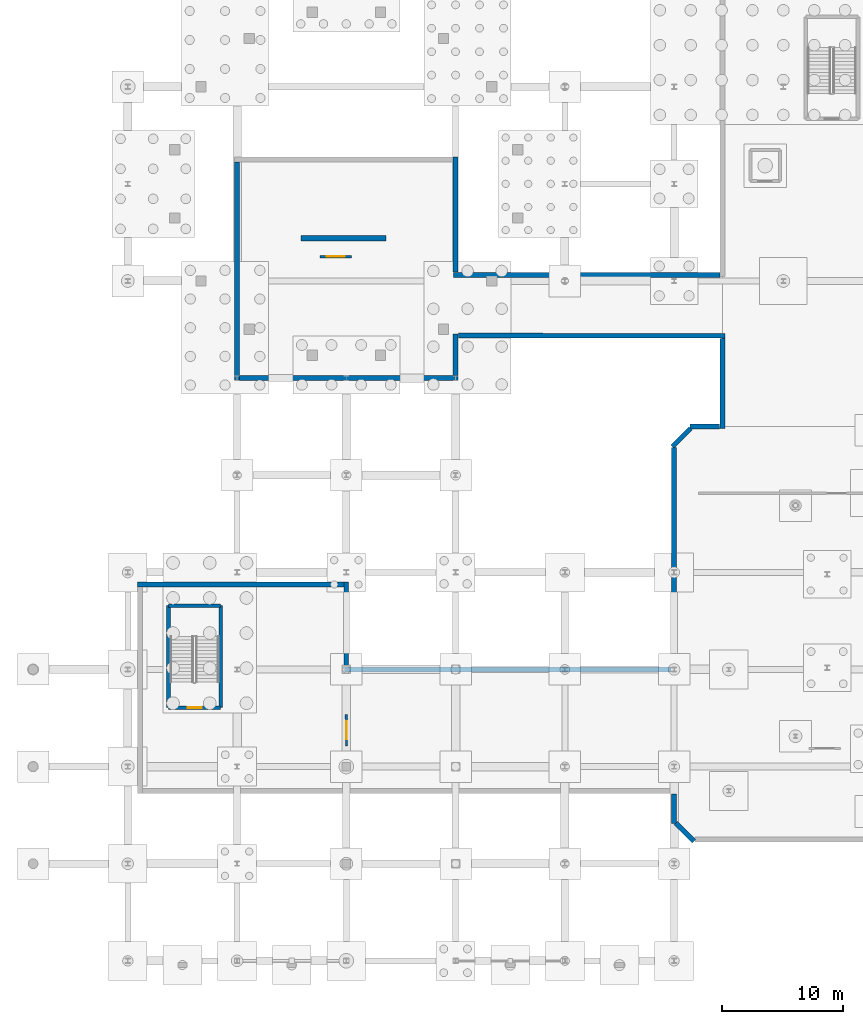
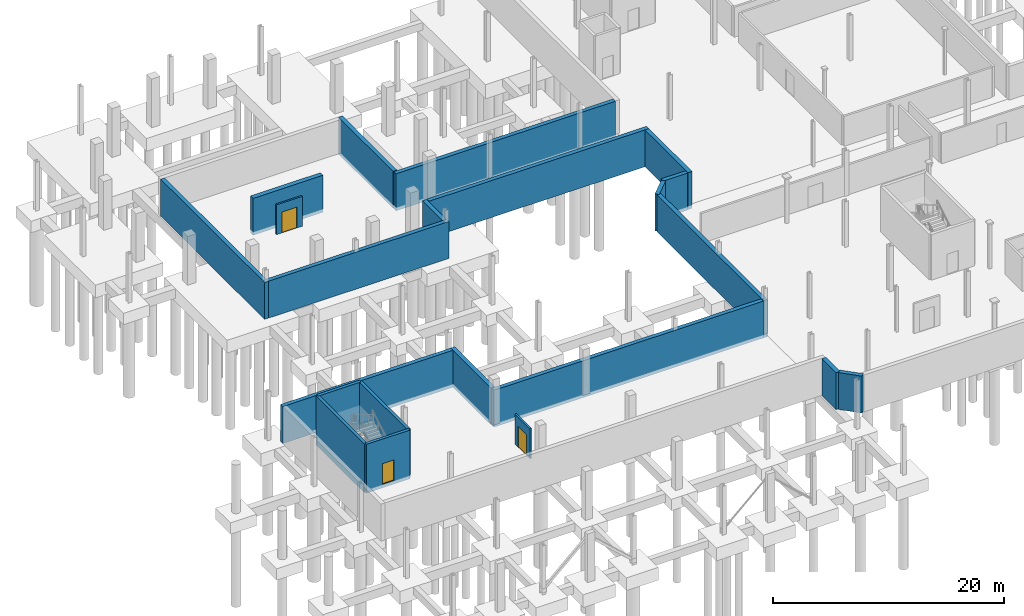
# One storey, part 25 of 37: 22 walls, 3 doors, 3 openings.
"""IFC4 building model written with IfcOpenShell, lengths in metres."""

import ifcopenshell
import ifcopenshell.guid

model = None  # the IFC model being written
_history = None  # IfcOwnerHistory: only IFC2X3 demands one
_inside = {}  # id of a spatial element -> (the spatial element, [elements in it])
_under = {}  # id of a project, library or spatial element -> (it, [spatial elements below it])
_declared = {}  # id of a project -> (the project, [libraries it declares])
_typed = {}  # id of a type object -> (the type object, [elements of that type])
_made_of = {}  # id of a material, layer set ... -> (it, [elements and type objects made of it])


def new_model(schema):
    """Start an empty IFC model of exactly this schema.

    Asked for "IFC4X3", IfcOpenShell would pick the latest addendum, in which some entities
    have other attributes; the version numbers below select the first issue.
    IFC2X3 requires an IfcOwnerHistory on every rooted entity: one is made here for all.
    """
    global model, _history
    if schema == "IFC4X3":
        model = ifcopenshell.file(schema_version=(4, 3, 0, 0))
    else:
        model = ifcopenshell.file(schema=schema)
    _inside.clear()
    _under.clear()
    _declared.clear()
    _typed.clear()
    _made_of.clear()
    _history = None
    if model.schema == "IFC2X3":
        org = make("IfcOrganization", Name="unknown")
        user = make(
            "IfcPersonAndOrganization",
            ThePerson=make("IfcPerson", FamilyName="unknown"),
            TheOrganization=org,
        )
        app = make(
            "IfcApplication",
            ApplicationDeveloper=org,
            Version="unknown",
            ApplicationFullName="unknown",
            ApplicationIdentifier="unknown",
        )
        _history = make(
            "IfcOwnerHistory",
            OwningUser=user,
            OwningApplication=app,
            ChangeAction="ADDED",
            CreationDate=0,
        )
    return model


def make(cls, **values):
    """One entity of the class cls with the attributes given. An attribute that is None is left unset."""
    return model.create_entity(
        cls, **{name: value for name, value in values.items() if value is not None}
    )


def rooted(cls, **values):
    """An entity with a GlobalId (a new one), such as an element, a storey or a relation."""
    return make(cls, GlobalId=ifcopenshell.guid.new(), OwnerHistory=_history, **values)


def si_unit(unit_type, name, prefix=None):
    """IfcSIUnit, for example si_unit("LENGTHUNIT", "METRE", prefix="MILLI")."""
    return make("IfcSIUnit", UnitType=unit_type, Prefix=prefix, Name=name)


def assignment(units):
    """IfcUnitAssignment: the units of a project."""
    return None if units is None else make("IfcUnitAssignment", Units=units)


def point(xyz):
    """IfcCartesianPoint."""
    return None if xyz is None else make("IfcCartesianPoint", Coordinates=xyz)


def direction(xyz):
    """IfcDirection."""
    return None if xyz is None else make("IfcDirection", DirectionRatios=xyz)


def frame(location, z_axis=None, x_axis=None):
    """IfcAxis2Placement3D, a coordinate frame: its origin and axes. An axis left out is left unset."""
    return make(
        "IfcAxis2Placement3D",
        Location=point(location),
        Axis=direction(z_axis),
        RefDirection=direction(x_axis),
    )


def frame_2d(location, x_axis=None):
    """IfcAxis2Placement2D, a coordinate frame in the plane: its origin and x axis."""
    return make(
        "IfcAxis2Placement2D", Location=point(location), RefDirection=direction(x_axis)
    )


def origin():
    """The frame at (0, 0, 0) with its axes left unset."""
    return frame((0.0, 0.0, 0.0))


def place(relative_to, where):
    """IfcLocalPlacement: puts the frame where relative to a parent placement (None: the world)."""
    return make(
        "IfcLocalPlacement", PlacementRelTo=relative_to, RelativePlacement=where
    )


def context(
    kind, dimensions, precision=None, world=None, true_north=None, identifier=None
):
    """IfcGeometricRepresentationContext, for example the 3D "Model" context."""
    return make(
        "IfcGeometricRepresentationContext",
        ContextIdentifier=identifier,
        ContextType=kind,
        CoordinateSpaceDimension=dimensions,
        Precision=precision,
        WorldCoordinateSystem=world,
        TrueNorth=true_north,
    )


def subcontext(parent, identifier, kind, view, scale=None):
    """IfcGeometricRepresentationSubContext, for example "Body" below "Model"."""
    return make(
        "IfcGeometricRepresentationSubContext",
        ContextIdentifier=identifier,
        ContextType=kind,
        ParentContext=parent,
        TargetScale=scale,
        TargetView=view,
    )


def project(units=None, contexts=None):
    """IfcProject with its units and contexts."""
    return rooted(
        "IfcProject",
        Name="project",
        RepresentationContexts=contexts,
        UnitsInContext=assignment(units),
    )


def spatial(cls, under=None, at=None, **own):
    """A site, building, storey or space (cls), placed at a placement, below another one or the project."""
    s = rooted(cls, ObjectPlacement=at, **own)
    if under is not None:
        _under.setdefault(under.id(), (under, []))[1].append(s)
    return s


def profile(cls, at=None, kind="AREA", **sizes):
    """A parametric profile (cls). Its sizes go by their IFC names, for example OverallWidth=200.0."""
    return make(cls, ProfileType=kind, Position=at, **sizes)


def rectangle(**sizes):
    """IfcRectangleProfileDef."""
    return profile("IfcRectangleProfileDef", **sizes)


def extrude(swept, where, along, depth):
    """IfcExtrudedAreaSolid: the profile swept, set in the frame where, extruded along a direction by depth."""
    return make(
        "IfcExtrudedAreaSolid",
        SweptArea=swept,
        Position=where,
        ExtrudedDirection=direction(along),
        Depth=depth,
    )


def shape(context_of_items, identifier, shape_type, items):
    """IfcShapeRepresentation: the items that make up one representation, for example the "Body"."""
    return make(
        "IfcShapeRepresentation",
        ContextOfItems=context_of_items,
        RepresentationIdentifier=identifier,
        RepresentationType=shape_type,
        Items=items,
    )


def material(Name=None, Category=None):
    """IfcMaterial."""
    return make("IfcMaterial", Name=Name, Category=Category)


def layer(
    of_material, thickness, ventilated=None, Name=None, Category=None, Priority=None
):
    """IfcMaterialLayer: one layer of a wall or slab, of a material (None: an air gap)."""
    return make(
        "IfcMaterialLayer",
        Material=of_material,
        LayerThickness=thickness,
        IsVentilated=ventilated,
        Name=Name,
        Category=Category,
        Priority=Priority,
    )


def layer_set(layers, Name=None):
    """IfcMaterialLayerSet."""
    return make("IfcMaterialLayerSet", MaterialLayers=layers, LayerSetName=Name)


def made_of(thing, what):
    """Note that an element or type object is made of a material, layer set ...; save() writes the relation."""
    if what is not None:
        _made_of.setdefault(what.id(), (what, []))[1].append(thing)
    return thing


def type_object(cls, material=None, **own):
    """A type object (cls), such as IfcWallType, which elements share."""
    return made_of(rooted(cls, **own), material)


def element(
    cls,
    number,
    at=None,
    inside=None,
    cuts=None,
    type_object=None,
    material=None,
    context=None,
    identifier="Body",
    shape_type=None,
    held_by="IfcProductDefinitionShape",
    body=None,
    shapes=None,
    **own,
):
    """One element of the class cls, such as IfcWall. Its Tag is "e" and its number.

    at: its placement. inside: the storey or other place that contains it. cuts: it is an
    opening in that element (IfcRelVoidsElement). A single representation is given by context,
    identifier, shape_type and body (its items); several are given by shapes. held_by: the class
    of the entity that holds the representations. save() writes the other relations.
    """
    e = rooted(cls, Tag="e%d" % number, ObjectPlacement=at, **own)
    if body is not None:
        shapes = [shape(context, identifier, shape_type, body)]
    if shapes is not None:
        e.Representation = make(held_by, Representations=shapes)
    if inside is not None:
        _inside.setdefault(inside.id(), (inside, []))[1].append(e)
    if cuts is not None:
        rooted(
            "IfcRelVoidsElement", RelatingBuildingElement=cuts, RelatedOpeningElement=e
        )
    if type_object is not None:
        _typed.setdefault(type_object.id(), (type_object, []))[1].append(e)
    return made_of(e, material)


def fill(opening, filler):
    """IfcRelFillsElement: the door or window that sits in an opening."""
    return rooted(
        "IfcRelFillsElement",
        RelatingOpeningElement=opening,
        RelatedBuildingElement=filler,
    )


def aggregate(whole, parts):
    """IfcRelAggregates: a whole, such as a stair, and the parts it consists of."""
    return rooted("IfcRelAggregates", RelatingObject=whole, RelatedObjects=parts)


def save(model, path):
    """Write the relations noted so far, then the file.

    IfcRelAggregates (storeys below a building ...), IfcRelContainedInSpatialStructure (elements
    in a storey), IfcRelDefinesByType, IfcRelAssociatesMaterial and IfcRelDeclares: one each for
    every whole, place, type object, material and project.
    """
    for whole, parts in _under.values():
        aggregate(whole, parts)
    for where, things in _inside.values():
        rooted(
            "IfcRelContainedInSpatialStructure",
            RelatedElements=things,
            RelatingStructure=where,
        )
    for kind, things in _typed.values():
        rooted("IfcRelDefinesByType", RelatedObjects=things, RelatingType=kind)
    for what, things in _made_of.values():
        rooted("IfcRelAssociatesMaterial", RelatedObjects=things, RelatingMaterial=what)
    for by, libraries in _declared.values():
        rooted("IfcRelDeclares", RelatingContext=by, RelatedDefinitions=libraries)
    model.write(path)


model = new_model("IFC4")

# Units and contexts
model_context = context("Model", 3, precision=1e-05, world=origin(), true_north=direction((0.0, 1.0)))
body_context = subcontext(model_context, "Body", "Model", "MODEL_VIEW")
ifc_project = project(units=[si_unit("LENGTHUNIT", "METRE"), si_unit("AREAUNIT", "SQUARE_METRE"), si_unit("VOLUMEUNIT", "CUBIC_METRE"), si_unit("PLANEANGLEUNIT", "RADIAN"), si_unit("MASSUNIT", "GRAM", prefix="KILO"), si_unit("THERMODYNAMICTEMPERATUREUNIT", "KELVIN"), si_unit("POWERUNIT", "WATT")], contexts=[model_context])

# Site, building, storey
site_placement = place(None, origin())
site = spatial("IfcSite", under=ifc_project, at=site_placement, CompositionType="ELEMENT")
building_placement = place(site_placement, origin())
building = spatial("IfcBuilding", under=site, at=building_placement, Name="Zelmaris Science Centre", CompositionType="ELEMENT")
storey_placement = place(building_placement, frame((0.0, 0.0, -4.800048828125)))
storey = spatial("IfcBuildingStorey", under=building, at=storey_placement, Name="B1", CompositionType="ELEMENT", Elevation=-4.800048828125)

# Wall, opening, door
ifc_material_1 = material(Name="Concrete C40/50", Category="concrete")
ifc_layer_1 = layer(ifc_material_1, 0.300048828125, Name="Concrete C40/50")
ifc_layer_set_1 = layer_set([ifc_layer_1], Name="Concrete C40/50")
wall_type_1 = type_object("IfcWallType", Name="Core Shear Wall CW-S1 300mm", PredefinedType="SOLIDWALL", material=ifc_layer_set_1)
wall_1_placement = place(storey_placement, frame((16.64990234375, 28.85009765625, -0.349853515625), z_axis=(0.0, 0.0, 1.0), x_axis=(-1.0, 0.0, 0.0)))
wall_1 = element("IfcWall", 1, at=wall_1_placement, inside=storey, type_object=wall_type_1, Name="B1 ST-6 core shear wall near", PredefinedType="SOLIDWALL", context=body_context, shape_type="SweptSolid", body=[
    extrude(rectangle(XDim=4.2998046875, YDim=0.300048828125, at=frame_2d((2.14990234375, 0.0))), origin(), (0.0, 0.0, 1.0), 5.14990234375),
])
opening_1_placement = place(wall_1_placement, frame((1.574951171875, 0.0, 0.35009765625)))
opening_1 = element("IfcOpeningElement", 2, at=opening_1_placement, cuts=wall_1, Name="Opening D-FD90", PredefinedType="OPENING", context=body_context, shape_type="SweptSolid", body=[
    extrude(rectangle(XDim=1.14990234375, YDim=2.199951171875, at=frame_2d((0.574951171875, 1.10009765625))), frame((0.0, 0.159912109375, 0.0), z_axis=(0.0, -1.0, 0.0), x_axis=(1.0, 0.0, 0.0)), (0.0, 0.0, 1.0), 0.320068359375),
])
ifc_material_2 = material(Name="Steel ASTM A36", Category="steel")
door_type_1 = type_object("IfcDoorType", Name="Interior Door D-FD90 1150x2200", OperationType="NOTDEFINED", PredefinedType="DOOR", material=ifc_material_2)
door_1_placement = place(opening_1_placement, origin())
door_1 = element("IfcDoor", 3, at=door_1_placement, inside=storey, type_object=door_type_1, Name="B1 ST-6 exit stair fire door", OperationType="SINGLE_SWING_RIGHT", OverallHeight=2.199951171875, OverallWidth=1.14990234375, PredefinedType="DOOR", context=body_context, shape_type="SweptSolid", body=[
    extrude(rectangle(XDim=1.14990234375, YDim=2.199951171875, at=frame_2d((0.574951171875, 1.10009765625))), frame((0.0, 0.02490234375, 0.0), z_axis=(0.0, -1.0, 0.0), x_axis=(1.0, 0.0, 0.0)), (0.0, 0.0, 1.0), 0.050048828125),
])
fill(opening_1, door_1)

# Walls
wall_2_placement = place(storey_placement, frame((16.64990234375, 28.85009765625, -0.349853515625), z_axis=(0.0, 0.0, 1.0), x_axis=(0.0, 1.0, 0.0)))
element("IfcWall", 4, at=wall_2_placement, inside=storey, type_object=wall_type_1, Name="B1 ST-6 core shear wall east", PredefinedType="SOLIDWALL", context=body_context, shape_type="SweptSolid", body=[
    extrude(rectangle(XDim=8.39990234375, YDim=0.300048828125, at=frame_2d((4.199951171875, 0.0))), origin(), (0.0, 0.0, 1.0), 5.14990234375),
])
wall_3_placement = place(storey_placement, frame((16.64990234375, 37.25, -0.349853515625), z_axis=(0.0, 0.0, 1.0), x_axis=(-1.0, 0.0, 0.0)))
element("IfcWall", 5, at=wall_3_placement, inside=storey, type_object=wall_type_1, Name="B1 ST-6 core shear wall far", PredefinedType="SOLIDWALL", context=body_context, shape_type="SweptSolid", body=[
    extrude(rectangle(XDim=4.2998046875, YDim=0.300048828125, at=frame_2d((2.14990234375, 0.0))), origin(), (0.0, 0.0, 1.0), 5.14990234375),
])
wall_4_placement = place(storey_placement, frame((12.35009765625, 28.85009765625, -0.349853515625), z_axis=(0.0, 0.0, 1.0), x_axis=(0.0, 1.0, 0.0)))
element("IfcWall", 6, at=wall_4_placement, inside=storey, type_object=wall_type_1, Name="B1 ST-6 core shear wall west", PredefinedType="SOLIDWALL", context=body_context, shape_type="SweptSolid", body=[
    extrude(rectangle(XDim=8.39990234375, YDim=0.300048828125, at=frame_2d((4.199951171875, 0.0))), origin(), (0.0, 0.0, 1.0), 5.14990234375),
])

# Wall, opening, door
ifc_material_3 = material(Name="Autoclaved aerated concrete blockwork", Category="masonry")
ifc_layer_2 = layer(ifc_material_3, 0.179931640625, Name="Autoclaved aerated concrete blockwork")
ifc_layer_set_2 = layer_set([ifc_layer_2], Name="Autoclaved aerated concrete blockwork")
wall_type_2 = type_object("IfcWallType", Name="Interior Wall PT-04 180mm", PredefinedType="PARTITIONING", material=ifc_layer_set_2)
wall_5_placement = place(storey_placement, frame((24.824951171875, 66.0, 0.0), z_axis=(0.0, 0.0, 1.0), x_axis=(1.0, 0.0, 0.0)))
wall_5 = element("IfcWall", 7, at=wall_5_placement, inside=storey, type_object=wall_type_2, Name="B1 Stormwater Retention and Fire Water Cistern Room entrance partition 22", PredefinedType="PARTITIONING", context=body_context, shape_type="SweptSolid", body=[
    extrude(rectangle(XDim=2.60009765625, YDim=0.179931640625, at=frame_2d((1.300048828125, 0.0))), origin(), (0.0, 0.0, 1.0), 3.150146484375),
])
opening_2_placement = place(wall_5_placement, frame((0.550048828125, 0.0, 0.0)))
opening_2 = element("IfcOpeningElement", 8, at=opening_2_placement, cuts=wall_5, Name="Opening D-IN5", PredefinedType="OPENING", context=body_context, shape_type="SweptSolid", body=[
    extrude(rectangle(XDim=1.5, YDim=2.199951171875, at=frame_2d((0.75, 1.10009765625))), frame((0.0, 0.099853515625, 0.0), z_axis=(0.0, -1.0, 0.0), x_axis=(1.0, 0.0, 0.0)), (0.0, 0.0, 1.0), 0.199951171875),
])
door_type_2 = type_object("IfcDoorType", Name="Interior Door D-IN5 1500x2200", OperationType="NOTDEFINED", PredefinedType="DOOR", material=ifc_material_2)
door_2_placement = place(opening_2_placement, origin())
door_2 = element("IfcDoor", 9, at=door_2_placement, inside=storey, type_object=door_type_2, Name="B1 Stormwater Retention and Fire Water Cistern Room door", OperationType="SINGLE_SWING_LEFT", OverallHeight=2.199951171875, OverallWidth=1.5, PredefinedType="DOOR", context=body_context, shape_type="SweptSolid", body=[
    extrude(rectangle(XDim=1.5, YDim=2.199951171875, at=frame_2d((0.75, 1.10009765625))), frame((0.0, 0.02490234375, 0.0), z_axis=(0.0, -1.0, 0.0), x_axis=(1.0, 0.0, 0.0)), (0.0, 0.0, 1.0), 0.050048828125),
])
fill(opening_2, door_2)

wall_6_placement = place(storey_placement, frame((27.003173828125, 25.699951171875, 0.0), z_axis=(0.0, 0.0, 1.0), x_axis=(-0.000563380192, 0.999999841301, 0.0)))
wall_6 = element("IfcWall", 10, at=wall_6_placement, inside=storey, type_object=wall_type_2, Name="B1 Mechanical Chiller Plant Room entrance partition 23", PredefinedType="PARTITIONING", context=body_context, shape_type="SweptSolid", body=[
    extrude(rectangle(XDim=2.60009765625, YDim=0.179931640625, at=frame_2d((1.300048828125, 0.0))), origin(), (0.0, 0.0, 1.0), 3.150146484375),
])
opening_3_placement = place(wall_6_placement, frame((0.550048828125, 0.0, 0.0)))
opening_3 = element("IfcOpeningElement", 11, at=opening_3_placement, cuts=wall_6, Name="Opening D-IN5", PredefinedType="OPENING", context=body_context, shape_type="SweptSolid", body=[
    extrude(rectangle(XDim=1.5, YDim=2.199951171875, at=frame_2d((0.75, 1.10009765625))), frame((0.0, 0.099853515625, 0.0), z_axis=(0.0, -1.0, 0.0), x_axis=(1.0, 0.0, 0.0)), (0.0, 0.0, 1.0), 0.199951171875),
])
door_3_placement = place(opening_3_placement, origin())
door_3 = element("IfcDoor", 12, at=door_3_placement, inside=storey, type_object=door_type_2, Name="B1 Mechanical Chiller Plant Room door", OperationType="SINGLE_SWING_RIGHT", OverallHeight=2.199951171875, OverallWidth=1.5, PredefinedType="DOOR", context=body_context, shape_type="SweptSolid", body=[
    extrude(rectangle(XDim=1.5, YDim=2.199951171875, at=frame_2d((0.75, 1.10009765625))), frame((0.0, 0.02490234375, 0.0), z_axis=(0.0, -1.0, 0.0), x_axis=(1.0, 0.0, 0.0)), (0.0, 0.0, 1.0), 0.050048828125),
])
fill(opening_3, door_3)

# Walls
ifc_layer_3 = layer(ifc_material_1, 0.39990234375, Name="Concrete C40/50")
ifc_layer_set_3 = layer_set([ifc_layer_3], Name="Concrete C40/50")
wall_type_3 = type_object("IfcWallType", Name="Retaining Wall RW-01 400mm", PredefinedType="USERDEFINED", material=ifc_layer_set_3)
wall_7_placement = place(storey_placement, frame((9.800048828125, 39.0, -0.349853515625), z_axis=(0.0, 0.0, 1.0), x_axis=(1.0, 0.0, 0.0)))
element("IfcWall", 13, at=wall_7_placement, inside=storey, type_object=wall_type_3, Name="B1 Perimeter retaining wall 2", ObjectType="RETAININGWALL", PredefinedType="USERDEFINED", context=body_context, shape_type="SweptSolid", body=[
    extrude(rectangle(XDim=16.999755859375, YDim=0.39990234375, at=frame_2d((8.5, 0.0))), origin(), (0.0, 0.0, 1.0), 3.89990234375),
])
wall_8_placement = place(storey_placement, frame((27.0, 39.199951171875, -0.349853515625), z_axis=(0.0, 0.0, 1.0), x_axis=(0.0, -1.0, 0.0)))
element("IfcWall", 14, at=wall_8_placement, inside=storey, type_object=wall_type_3, Name="B1 Perimeter retaining wall 3", ObjectType="RETAININGWALL", PredefinedType="USERDEFINED", context=body_context, shape_type="SweptSolid", body=[
    extrude(rectangle(XDim=6.949951171875, YDim=0.39990234375, at=frame_2d((3.47509765625, 0.0))), origin(), (0.0, 0.0, 1.0), 3.89990234375),
])
wall_9_placement = place(storey_placement, frame((26.840087890625, 32.0009765625, -0.349853515625), z_axis=(0.0, 0.0, 1.0), x_axis=(0.999999999342, -3.6290066e-05, 0.0)))
element("IfcWall", 15, at=wall_9_placement, inside=storey, type_object=wall_type_3, Name="B1 Perimeter retaining wall 4", ObjectType="RETAININGWALL", PredefinedType="USERDEFINED", context=body_context, shape_type="SweptSolid", body=[
    extrude(rectangle(XDim=26.909912109375, YDim=0.39990234375, at=frame_2d((13.455078125, 0.0))), origin(), (0.0, 0.0, 1.0), 3.89990234375),
])
wall_10_placement = place(storey_placement, frame((53.991455078125, 31.822265625, -0.349853515625), z_axis=(0.0, 0.0, 1.0), x_axis=(0.000462442971, 0.999999893073, 0.0)))
element("IfcWall", 16, at=wall_10_placement, inside=storey, type_object=wall_type_3, Name="B1 Perimeter retaining wall 5", ObjectType="RETAININGWALL", PredefinedType="USERDEFINED", context=body_context, shape_type="SweptSolid", body=[
    extrude(rectangle(XDim=18.477783203125, YDim=0.39990234375, at=frame_2d((9.23876953125, 0.0))), origin(), (0.0, 0.0, 1.0), 3.89990234375),
])
wall_11_placement = place(storey_placement, frame((53.858642578125, 50.358642578125, -0.349853515625), z_axis=(0.0, 0.0, 1.0), x_axis=(0.707164328025, 0.707049229664, 0.0)))
element("IfcWall", 17, at=wall_11_placement, inside=storey, type_object=wall_type_3, Name="B1 Perimeter retaining wall 6", ObjectType="RETAININGWALL", PredefinedType="USERDEFINED", context=body_context, shape_type="SweptSolid", body=[
    extrude(rectangle(XDim=2.12109375, YDim=0.39990234375, at=frame_2d((1.060546875, 0.0))), origin(), (0.0, 0.0, 1.0), 3.89990234375),
])
wall_12_placement = place(storey_placement, frame((55.300048828125, 52.0, -0.349853515625), z_axis=(0.0, 0.0, 1.0), x_axis=(1.0, 0.0, 0.0)))
element("IfcWall", 18, at=wall_12_placement, inside=storey, type_object=wall_type_3, Name="B1 Perimeter retaining wall 7", ObjectType="RETAININGWALL", PredefinedType="USERDEFINED", context=body_context, shape_type="SweptSolid", body=[
    extrude(rectangle(XDim=2.449951171875, YDim=0.39990234375, at=frame_2d((1.22509765625, 0.0))), origin(), (0.0, 0.0, 1.0), 3.89990234375),
])
wall_13_placement = place(storey_placement, frame((57.996337890625, 51.830810546875, -0.349853515625), z_axis=(0.0, 0.0, 1.0), x_axis=(-0.000982993725, 0.999999516862, 0.0)))
element("IfcWall", 19, at=wall_13_placement, inside=storey, type_object=wall_type_3, Name="B1 Perimeter retaining wall 8", ObjectType="RETAININGWALL", PredefinedType="USERDEFINED", context=body_context, shape_type="SweptSolid", body=[
    extrude(rectangle(XDim=7.450927734375, YDim=0.39990234375, at=frame_2d((3.7255859375, 0.0))), origin(), (0.0, 0.0, 1.0), 3.89990234375),
])
wall_14_placement = place(storey_placement, frame((58.188720703125, 59.481689453125, -0.349853515625), z_axis=(0.0, 0.0, 1.0), x_axis=(-0.999999670178, 0.000812184732, 0.0)))
element("IfcWall", 20, at=wall_14_placement, inside=storey, type_object=wall_type_3, Name="B1 Perimeter retaining wall 9", ObjectType="RETAININGWALL", PredefinedType="USERDEFINED", context=body_context, shape_type="SweptSolid", body=[
    extrude(rectangle(XDim=21.943603515625, YDim=0.39990234375, at=frame_2d((10.9716796875, 0.0))), origin(), (0.0, 0.0, 1.0), 3.89990234375),
])
wall_15_placement = place(storey_placement, frame((36.0, 59.64990234375, -0.349853515625), z_axis=(0.0, 0.0, 1.0), x_axis=(0.0, -1.0, 0.0)))
element("IfcWall", 21, at=wall_15_placement, inside=storey, type_object=wall_type_3, Name="B1 Perimeter retaining wall 10", ObjectType="RETAININGWALL", PredefinedType="USERDEFINED", context=body_context, shape_type="SweptSolid", body=[
    extrude(rectangle(XDim=3.44970703125, YDim=0.39990234375, at=frame_2d((1.724853515625, 0.0))), origin(), (0.0, 0.0, 1.0), 3.89990234375),
])
for number, where, z_axis, x_axis, name in (
    (22, (36.199951171875, 56.0, -0.349853515625), (0.0, 0.0, 1.0), (-1.0, 0.0, 0.0), "B1 Perimeter retaining wall 11"),
    (23, (18.0, 55.800048828125, -0.349853515625), (0.0, 0.0, 1.0), (0.0, 1.0, 0.0), "B1 Perimeter retaining wall 12"),
):
    element("IfcWall", number, at=place(storey_placement, frame(where, z_axis=z_axis, x_axis=x_axis)), inside=storey, type_object=wall_type_3, Name=name, ObjectType="RETAININGWALL", PredefinedType="USERDEFINED", context=body_context, shape_type="SweptSolid", body=[
        extrude(rectangle(XDim=17.999755859375, YDim=0.39990234375, at=frame_2d((9.0, 0.0))), origin(), (0.0, 0.0, 1.0), 3.89990234375),
    ])
wall_16_placement = place(storey_placement, frame((36.0, 74.199951171875, -0.349853515625), z_axis=(0.0, 0.0, 1.0), x_axis=(0.0, -1.0, 0.0)))
element("IfcWall", 24, at=wall_16_placement, inside=storey, type_object=wall_type_3, Name="B1 Perimeter retaining wall 14", ObjectType="RETAININGWALL", PredefinedType="USERDEFINED", context=body_context, shape_type="SweptSolid", body=[
    extrude(rectangle(XDim=9.449951171875, YDim=0.39990234375, at=frame_2d((4.72509765625, 0.0))), origin(), (0.0, 0.0, 1.0), 3.89990234375),
])
wall_17_placement = place(storey_placement, frame((35.840087890625, 64.5009765625, -0.349853515625), z_axis=(0.0, 0.0, 1.0), x_axis=(0.999999991076, 0.000133599046, 0.0)))
element("IfcWall", 25, at=wall_17_placement, inside=storey, type_object=wall_type_3, Name="B1 Perimeter retaining wall 15", ObjectType="RETAININGWALL", PredefinedType="USERDEFINED", context=body_context, shape_type="SweptSolid", body=[
    extrude(rectangle(XDim=21.928955078125, YDim=0.39990234375, at=frame_2d((10.96435546875, 0.0))), origin(), (0.0, 0.0, 1.0), 3.89990234375),
])
wall_18_placement = place(storey_placement, frame((55.642578125, 17.858642578125, -0.349853515625), z_axis=(0.0, 0.0, 1.0), x_axis=(-0.70733684682, 0.706876640674, 0.0)))
element("IfcWall", 26, at=wall_18_placement, inside=storey, type_object=wall_type_3, Name="B1 Perimeter retaining wall 32", ObjectType="RETAININGWALL", PredefinedType="USERDEFINED", context=body_context, shape_type="SweptSolid", body=[
    extrude(rectangle(XDim=2.1220703125, YDim=0.39990234375, at=frame_2d((1.06103515625, 0.0))), origin(), (0.0, 0.0, 1.0), 3.89990234375),
])
wall_19_placement = place(storey_placement, frame((54.0, 19.300048828125, -0.349853515625), z_axis=(0.0, 0.0, 1.0), x_axis=(0.0, 1.0, 0.0)))
element("IfcWall", 27, at=wall_19_placement, inside=storey, type_object=wall_type_3, Name="B1 Perimeter retaining wall 33", ObjectType="RETAININGWALL", PredefinedType="USERDEFINED", context=body_context, shape_type="SweptSolid", body=[
    extrude(rectangle(XDim=2.449951171875, YDim=0.39990234375, at=frame_2d((1.22509765625, 0.0))), origin(), (0.0, 0.0, 1.0), 3.89990234375),
])
ifc_layer_4 = layer(ifc_material_1, 0.449951171875, Name="Concrete C40/50")
ifc_layer_set_4 = layer_set([ifc_layer_4], Name="Concrete C40/50")
wall_type_4 = type_object("IfcWallType", Name="Retaining Wall RW-02 450mm", PredefinedType="USERDEFINED", material=ifc_layer_set_4)
wall_20_placement = place(storey_placement, frame((23.27490234375, 67.5, -0.349853515625), z_axis=(0.0, 0.0, 1.0), x_axis=(1.0, 0.0, 0.0)))
element("IfcWall", 28, at=wall_20_placement, inside=storey, type_object=wall_type_4, Name="B1 Cistern structural wall 1", ObjectType="RETAININGWALL", PredefinedType="USERDEFINED", context=body_context, shape_type="SweptSolid", body=[
    extrude(rectangle(XDim=7.0, YDim=0.449951171875, at=frame_2d((3.5, 0.0))), origin(), (0.0, 0.0, 1.0), 3.89990234375),
])

save(model, "model.ifc")
